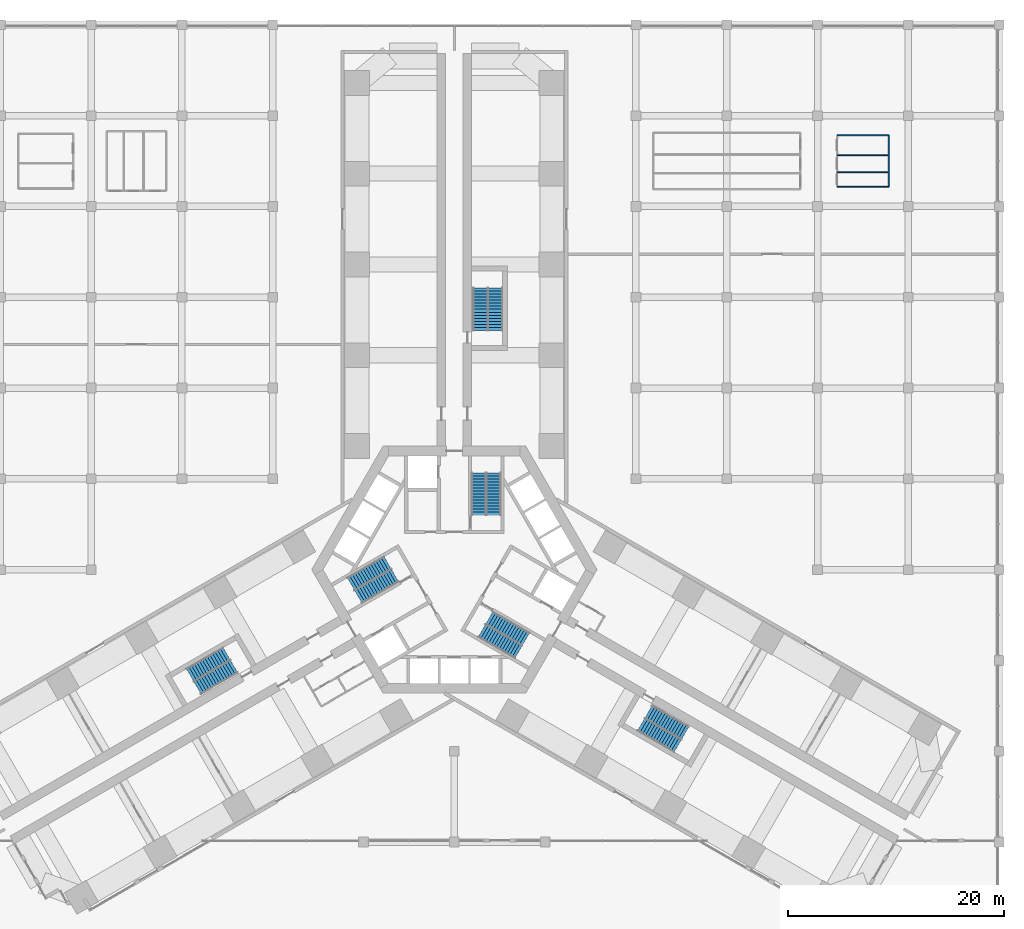
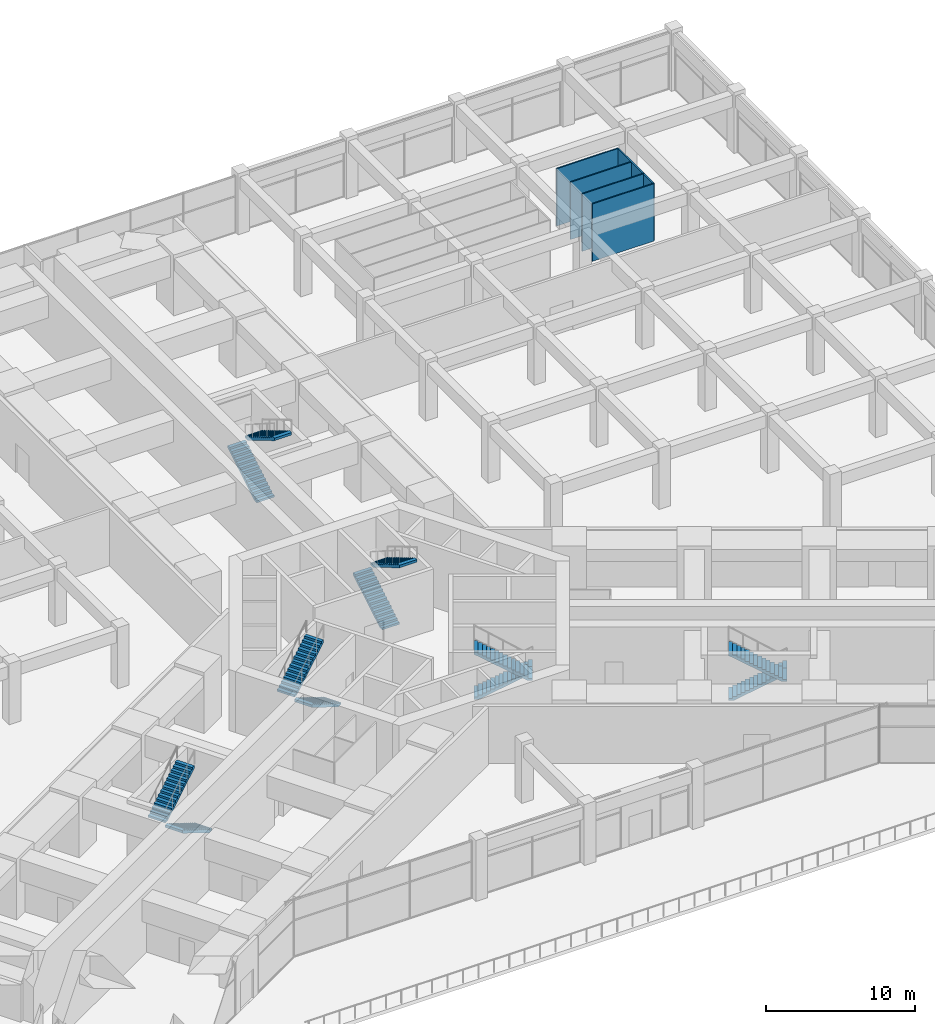
# One storey, part 32 of 34: 12 stair flights, 5 walls, 6 elements without a shape of their own.
"""IFC4 building model written with IfcOpenShell, lengths in metres."""

from ifc_helpers import new_model, si_unit, direction, frame, frame_2d, origin, place, context, subcontext, project, spatial, polyline, rectangle, outline, extrude, material, layer, layer_set, type_object, element, aggregate, save


model = new_model("IFC4")

# Units and contexts
model_context = context("Model", 3, precision=1e-05, world=origin(), true_north=direction((0.0, 1.0)))
body_context = subcontext(model_context, "Body", "Model", "MODEL_VIEW")
ifc_project = project(units=[si_unit("LENGTHUNIT", "METRE"), si_unit("AREAUNIT", "SQUARE_METRE"), si_unit("VOLUMEUNIT", "CUBIC_METRE"), si_unit("PLANEANGLEUNIT", "RADIAN"), si_unit("MASSUNIT", "GRAM", prefix="KILO")], contexts=[model_context])

# Site, building, storey
site_placement = place(None, origin())
site = spatial("IfcSite", under=ifc_project, at=site_placement, CompositionType="ELEMENT")
building_placement = place(site_placement, origin())
building = spatial("IfcBuilding", under=site, at=building_placement, Name="Impinga Residences", CompositionType="ELEMENT")
storey_placement = place(building_placement, frame((0.0, 0.0, 11.0)))
storey = spatial("IfcBuildingStorey", under=building, at=storey_placement, Name="L02", CompositionType="ELEMENT", Elevation=11.0)

# Walls
ifc_material_1 = material(Name="Gypsum board on steel studs", Category="steel")
ifc_layer = layer(ifc_material_1, 0.10009765625)
ifc_layer_set = layer_set([ifc_layer], Name="Gypsum board on steel studs")
wall_type = type_object("IfcWallType", Name="IP1 partition 100", PredefinedType="PARTITIONING", material=ifc_layer_set)
for number, where, z_axis, x_axis, name in (
    (1, (35.409912109375, 35.409912109375, 0.0), (0.0, 0.0, 1.0), (1.0, 0.0, 0.0), "Partition L02:REG:NE:B3:BLKS"),
    (2, (40.18994140625, 35.409912109375, 0.0), (0.0, 0.0, 1.0), (0.0, 1.0, 0.0), "Partition L02:REG:NE:B3:BLKE"),
    (3, (40.18994140625, 40.18994140625, 0.0), (0.0, 0.0, 1.0), (-1.0, 0.0, 0.0), "Partition L02:REG:NE:B3:BLKN"),
    (4, (35.409912109375, 36.76025390625, 0.0), (0.0, 0.0, 1.0), (1.0, 0.0, 0.0), "Partition L02:REG:NE:B3:BLKP1"),
    (5, (35.409912109375, 38.353515625, 0.0), (0.0, 0.0, 1.0), (1.0, 0.0, 0.0), "Partition L02:REG:NE:B3:BLKP2"),
):
    element("IfcWall", number, at=place(storey_placement, frame(where, z_axis=z_axis, x_axis=x_axis)), inside=storey, type_object=wall_type, Name=name, PredefinedType="PARTITIONING", context=body_context, shape_type="SweptSolid", body=[
        extrude(rectangle(XDim=4.780029296875, YDim=0.10009765625, at=frame_2d((2.39013671875, 0.0))), origin(), (0.0, 0.0, 1.0), 4.699951171875),
    ])

# Stair, stair flights
ifc_material_2 = material(Name="Concrete C40/50", Category="concrete")
stair_type_1 = type_object("IfcStairType", Name="STR core stair 5000 storey, 30 risers", PredefinedType="HALF_TURN_STAIR", material=ifc_material_2)
stair_1_placement = place(storey_placement, origin())
stair_1 = element("IfcStair", 6, at=stair_1_placement, inside=storey, type_object=stair_type_1, Name="Stair ST1 L02", PredefinedType="HALF_TURN_STAIR")
stair_flight_type = type_object("IfcStairFlightType", Name="SF 15 risers of 167", PredefinedType="STRAIGHT", material=ifc_material_2)
stair_flight_1_placement = place(storey_placement, frame((2.27490234375, 5.030029296875, 0.0), z_axis=(0.0, 0.0, 1.0), x_axis=(0.0, 1.0, 0.0)))
stair_flight_1 = element("IfcStairFlight", 7, at=stair_flight_1_placement, type_object=stair_flight_type, Name="ST1 flight 1", NumberOfRisers=15, NumberOfTreads=14, PredefinedType="STRAIGHT", RiserHeight=0.166666667, TreadLength=0.28, context=body_context, shape_type="SweptSolid", body=[
    extrude(outline(polyline([(0.0, 0.0), (0.0, 0.166748046875), (0.280029296875, 0.166748046875), (0.280029296875, 0.333251953125), (0.56005859375, 0.333251953125), (0.56005859375, 0.5), (0.840087890625, 0.5), (0.840087890625, 0.666748046875), (1.1201171875, 0.666748046875), (1.1201171875, 0.833251953125), (1.39990234375, 0.833251953125), (1.39990234375, 1.0), (1.679931640625, 1.0), (1.679931640625, 1.166748046875), (1.9599609375, 1.166748046875), (1.9599609375, 1.333251953125), (2.239990234375, 1.333251953125), (2.239990234375, 1.5), (2.52001953125, 1.5), (2.52001953125, 1.666748046875), (2.800048828125, 1.666748046875), (2.800048828125, 1.833251953125), (3.080078125, 1.833251953125), (3.080078125, 2.0), (3.360107421875, 2.0), (3.360107421875, 2.166748046875), (3.639892578125, 2.166748046875), (3.639892578125, 2.333251953125), (3.919921875, 2.333251953125), (3.919921875, 2.5), (3.919921875, 2.1240234375), (0.351806640625, 0.0), (0.0, 0.0)])), frame((0.0, 0.675048828125, 0.0), z_axis=(0.0, -1.0, 0.0), x_axis=(1.0, 0.0, 0.0)), (0.0, 0.0, 1.0), 1.35009765625),
])
stair_flight_2_placement = place(storey_placement, frame((3.625, 8.949951171875, 2.5), z_axis=(0.0, 0.0, 1.0), x_axis=(0.0, -1.0, 0.0)))
stair_flight_2 = element("IfcStairFlight", 8, at=stair_flight_2_placement, type_object=stair_flight_type, Name="ST1 flight 2", NumberOfRisers=15, NumberOfTreads=14, PredefinedType="STRAIGHT", RiserHeight=0.166666667, TreadLength=0.28, context=body_context, shape_type="SweptSolid", body=[
    extrude(outline(polyline([(0.0, 0.0), (0.0, 0.166748046875), (0.280029296875, 0.166748046875), (0.280029296875, 0.333251953125), (0.56005859375, 0.333251953125), (0.56005859375, 0.5), (0.840087890625, 0.5), (0.840087890625, 0.666748046875), (1.1201171875, 0.666748046875), (1.1201171875, 0.833251953125), (1.39990234375, 0.833251953125), (1.39990234375, 1.0), (1.679931640625, 1.0), (1.679931640625, 1.166748046875), (1.9599609375, 1.166748046875), (1.9599609375, 1.333251953125), (2.239990234375, 1.333251953125), (2.239990234375, 1.5), (2.52001953125, 1.5), (2.52001953125, 1.666748046875), (2.800048828125, 1.666748046875), (2.800048828125, 1.833251953125), (3.080078125, 1.833251953125), (3.080078125, 2.0), (3.360107421875, 2.0), (3.360107421875, 2.166748046875), (3.639892578125, 2.166748046875), (3.639892578125, 2.333251953125), (3.919921875, 2.333251953125), (3.919921875, 2.5), (3.919921875, 2.1240234375), (0.351806640625, 0.0), (0.0, 0.0)])), frame((0.0, 0.675048828125, 0.0), z_axis=(0.0, -1.0, 0.0), x_axis=(1.0, 0.0, 0.0)), (0.0, 0.0, 1.0), 1.35009765625),
])
aggregate(stair_1, [stair_flight_1, stair_flight_2])

stair_2_placement = place(storey_placement, origin())
stair_2 = element("IfcStair", 9, at=stair_2_placement, inside=storey, type_object=stair_type_1, Name="Stair ST2 L02", PredefinedType="HALF_TURN_STAIR")
stair_flight_3_placement = place(storey_placement, frame((-5.49365234375, -0.544677734375, 0.0), z_axis=(0.0, 0.0, 1.0), x_axis=(-0.866025403784, -0.5, 0.0)))
stair_flight_3 = element("IfcStairFlight", 10, at=stair_flight_3_placement, type_object=stair_flight_type, Name="ST2 flight 1", NumberOfRisers=15, NumberOfTreads=14, PredefinedType="STRAIGHT", RiserHeight=0.166666667, TreadLength=0.28, context=body_context, shape_type="SweptSolid", body=[
    extrude(outline(polyline([(0.0, 0.0), (0.0, 0.166748046875), (0.280029296875, 0.166748046875), (0.280029296875, 0.333251953125), (0.56005859375, 0.333251953125), (0.56005859375, 0.5), (0.840087890625, 0.5), (0.840087890625, 0.666748046875), (1.1201171875, 0.666748046875), (1.1201171875, 0.833251953125), (1.39990234375, 0.833251953125), (1.39990234375, 1.0), (1.679931640625, 1.0), (1.679931640625, 1.166748046875), (1.9599609375, 1.166748046875), (1.9599609375, 1.333251953125), (2.239990234375, 1.333251953125), (2.239990234375, 1.5), (2.52001953125, 1.5), (2.52001953125, 1.666748046875), (2.800048828125, 1.666748046875), (2.800048828125, 1.833251953125), (3.080078125, 1.833251953125), (3.080078125, 2.0), (3.360107421875, 2.0), (3.360107421875, 2.166748046875), (3.639892578125, 2.166748046875), (3.639892578125, 2.333251953125), (3.919921875, 2.333251953125), (3.919921875, 2.5), (3.919921875, 2.1240234375), (0.351806640625, 0.0), (0.0, 0.0)])), frame((0.0, 0.675048828125, 0.0), z_axis=(0.0, -1.0, 0.0), x_axis=(1.0, 0.0, 0.0)), (0.0, 0.0, 1.0), 1.35009765625),
])
stair_flight_4_placement = place(storey_placement, frame((-9.5634765625, -1.335693359375, 2.5), z_axis=(0.0, 0.0, 1.0), x_axis=(0.866025403784, 0.5, 0.0)))
stair_flight_4 = element("IfcStairFlight", 11, at=stair_flight_4_placement, type_object=stair_flight_type, Name="ST2 flight 2", NumberOfRisers=15, NumberOfTreads=14, PredefinedType="STRAIGHT", RiserHeight=0.166666667, TreadLength=0.28, context=body_context, shape_type="SweptSolid", body=[
    extrude(outline(polyline([(0.0, 0.0), (0.0, 0.166748046875), (0.280029296875, 0.166748046875), (0.280029296875, 0.333251953125), (0.56005859375, 0.333251953125), (0.56005859375, 0.5), (0.840087890625, 0.5), (0.840087890625, 0.666748046875), (1.1201171875, 0.666748046875), (1.1201171875, 0.833251953125), (1.39990234375, 0.833251953125), (1.39990234375, 1.0), (1.679931640625, 1.0), (1.679931640625, 1.166748046875), (1.9599609375, 1.166748046875), (1.9599609375, 1.333251953125), (2.239990234375, 1.333251953125), (2.239990234375, 1.5), (2.52001953125, 1.5), (2.52001953125, 1.666748046875), (2.800048828125, 1.666748046875), (2.800048828125, 1.833251953125), (3.080078125, 1.833251953125), (3.080078125, 2.0), (3.360107421875, 2.0), (3.360107421875, 2.166748046875), (3.639892578125, 2.166748046875), (3.639892578125, 2.333251953125), (3.919921875, 2.333251953125), (3.919921875, 2.5), (3.919921875, 2.1240234375), (0.351806640625, 0.0), (0.0, 0.0)])), frame((0.0, 0.675048828125, 0.0), z_axis=(0.0, -1.0, 0.0), x_axis=(1.0, 0.0, 0.0)), (0.0, 0.0, 1.0), 1.35009765625),
])
aggregate(stair_2, [stair_flight_3, stair_flight_4])

stair_3_placement = place(storey_placement, origin())
stair_3 = element("IfcStair", 12, at=stair_3_placement, inside=storey, type_object=stair_type_1, Name="Stair ST3 L02", PredefinedType="HALF_TURN_STAIR")
stair_flight_5_placement = place(storey_placement, frame((3.218505859375, -4.485107421875, 0.0), z_axis=(0.0, 0.0, 1.0), x_axis=(0.866025403784, -0.5, 0.0)))
stair_flight_5 = element("IfcStairFlight", 13, at=stair_flight_5_placement, type_object=stair_flight_type, Name="ST3 flight 1", NumberOfRisers=15, NumberOfTreads=14, PredefinedType="STRAIGHT", RiserHeight=0.166666667, TreadLength=0.28, context=body_context, shape_type="SweptSolid", body=[
    extrude(outline(polyline([(0.0, 0.0), (0.0, 0.166748046875), (0.280029296875, 0.166748046875), (0.280029296875, 0.333251953125), (0.56005859375, 0.333251953125), (0.56005859375, 0.5), (0.840087890625, 0.5), (0.840087890625, 0.666748046875), (1.1201171875, 0.666748046875), (1.1201171875, 0.833251953125), (1.39990234375, 0.833251953125), (1.39990234375, 1.0), (1.679931640625, 1.0), (1.679931640625, 1.166748046875), (1.9599609375, 1.166748046875), (1.9599609375, 1.333251953125), (2.239990234375, 1.333251953125), (2.239990234375, 1.5), (2.52001953125, 1.5), (2.52001953125, 1.666748046875), (2.800048828125, 1.666748046875), (2.800048828125, 1.833251953125), (3.080078125, 1.833251953125), (3.080078125, 2.0), (3.360107421875, 2.0), (3.360107421875, 2.166748046875), (3.639892578125, 2.166748046875), (3.639892578125, 2.333251953125), (3.919921875, 2.333251953125), (3.919921875, 2.5), (3.919921875, 2.1240234375), (0.351806640625, 0.0), (0.0, 0.0)])), frame((0.0, 0.675048828125, 0.0), z_axis=(0.0, -1.0, 0.0), x_axis=(1.0, 0.0, 0.0)), (0.0, 0.0, 1.0), 1.35009765625),
])
stair_flight_6_placement = place(storey_placement, frame((5.9384765625, -7.6142578125, 2.5), z_axis=(0.0, 0.0, 1.0), x_axis=(-0.866025403784, 0.5, 0.0)))
stair_flight_6 = element("IfcStairFlight", 14, at=stair_flight_6_placement, type_object=stair_flight_type, Name="ST3 flight 2", NumberOfRisers=15, NumberOfTreads=14, PredefinedType="STRAIGHT", RiserHeight=0.166666667, TreadLength=0.28, context=body_context, shape_type="SweptSolid", body=[
    extrude(outline(polyline([(0.0, 0.0), (0.0, 0.166748046875), (0.280029296875, 0.166748046875), (0.280029296875, 0.333251953125), (0.56005859375, 0.333251953125), (0.56005859375, 0.5), (0.840087890625, 0.5), (0.840087890625, 0.666748046875), (1.1201171875, 0.666748046875), (1.1201171875, 0.833251953125), (1.39990234375, 0.833251953125), (1.39990234375, 1.0), (1.679931640625, 1.0), (1.679931640625, 1.166748046875), (1.9599609375, 1.166748046875), (1.9599609375, 1.333251953125), (2.239990234375, 1.333251953125), (2.239990234375, 1.5), (2.52001953125, 1.5), (2.52001953125, 1.666748046875), (2.800048828125, 1.666748046875), (2.800048828125, 1.833251953125), (3.080078125, 1.833251953125), (3.080078125, 2.0), (3.360107421875, 2.0), (3.360107421875, 2.166748046875), (3.639892578125, 2.166748046875), (3.639892578125, 2.333251953125), (3.919921875, 2.333251953125), (3.919921875, 2.5), (3.919921875, 2.1240234375), (0.351806640625, 0.0), (0.0, 0.0)])), frame((0.0, 0.675048828125, 0.0), z_axis=(0.0, -1.0, 0.0), x_axis=(1.0, 0.0, 0.0)), (0.0, 0.0, 1.0), 1.35009765625),
])
aggregate(stair_3, [stair_flight_5, stair_flight_6])

stair_type_2 = type_object("IfcStairType", Name="STR wing stair 5000 storey, 30 risers", PredefinedType="HALF_TURN_STAIR", material=ifc_material_2)
stair_4_placement = place(storey_placement, origin())
stair_4 = element("IfcStair", 15, at=stair_4_placement, inside=storey, type_object=stair_type_2, Name="Stair WS1 L02", PredefinedType="HALF_TURN_STAIR")
stair_flight_7_placement = place(storey_placement, frame((2.425048828125, 22.131591796875, 0.0), z_axis=(0.0, 0.0, 1.0), x_axis=(0.0, 1.0, 0.0)))
stair_flight_7 = element("IfcStairFlight", 16, at=stair_flight_7_placement, type_object=stair_flight_type, Name="WS1 flight 1", NumberOfRisers=15, NumberOfTreads=14, PredefinedType="STRAIGHT", RiserHeight=0.166666667, TreadLength=0.28, context=body_context, shape_type="SweptSolid", body=[
    extrude(outline(polyline([(0.0, 0.0), (0.0, 0.166748046875), (0.280029296875, 0.166748046875), (0.280029296875, 0.333251953125), (0.56005859375, 0.333251953125), (0.56005859375, 0.5), (0.840087890625, 0.5), (0.840087890625, 0.666748046875), (1.1201171875, 0.666748046875), (1.1201171875, 0.833251953125), (1.39990234375, 0.833251953125), (1.39990234375, 1.0), (1.679931640625, 1.0), (1.679931640625, 1.166748046875), (1.9599609375, 1.166748046875), (1.9599609375, 1.333251953125), (2.239990234375, 1.333251953125), (2.239990234375, 1.5), (2.52001953125, 1.5), (2.52001953125, 1.666748046875), (2.800048828125, 1.666748046875), (2.800048828125, 1.833251953125), (3.080078125, 1.833251953125), (3.080078125, 2.0), (3.360107421875, 2.0), (3.360107421875, 2.166748046875), (3.639892578125, 2.166748046875), (3.639892578125, 2.333251953125), (3.919921875, 2.333251953125), (3.919921875, 2.5), (3.919921875, 2.1240234375), (0.351806640625, 0.0), (0.0, 0.0)])), frame((0.0, 0.675048828125, 0.0), z_axis=(0.0, -1.0, 0.0), x_axis=(1.0, 0.0, 0.0)), (0.0, 0.0, 1.0), 1.35009765625),
])
stair_flight_8_placement = place(storey_placement, frame((3.77490234375, 26.051513671875, 2.5), z_axis=(0.0, 0.0, 1.0), x_axis=(0.0, -1.0, 0.0)))
stair_flight_8 = element("IfcStairFlight", 17, at=stair_flight_8_placement, type_object=stair_flight_type, Name="WS1 flight 2", NumberOfRisers=15, NumberOfTreads=14, PredefinedType="STRAIGHT", RiserHeight=0.166666667, TreadLength=0.28, context=body_context, shape_type="SweptSolid", body=[
    extrude(outline(polyline([(0.0, 0.0), (0.0, 0.166748046875), (0.280029296875, 0.166748046875), (0.280029296875, 0.333251953125), (0.56005859375, 0.333251953125), (0.56005859375, 0.5), (0.840087890625, 0.5), (0.840087890625, 0.666748046875), (1.1201171875, 0.666748046875), (1.1201171875, 0.833251953125), (1.39990234375, 0.833251953125), (1.39990234375, 1.0), (1.679931640625, 1.0), (1.679931640625, 1.166748046875), (1.9599609375, 1.166748046875), (1.9599609375, 1.333251953125), (2.239990234375, 1.333251953125), (2.239990234375, 1.5), (2.52001953125, 1.5), (2.52001953125, 1.666748046875), (2.800048828125, 1.666748046875), (2.800048828125, 1.833251953125), (3.080078125, 1.833251953125), (3.080078125, 2.0), (3.360107421875, 2.0), (3.360107421875, 2.166748046875), (3.639892578125, 2.166748046875), (3.639892578125, 2.333251953125), (3.919921875, 2.333251953125), (3.919921875, 2.5), (3.919921875, 2.1240234375), (0.351806640625, 0.0), (0.0, 0.0)])), frame((0.0, 0.675048828125, 0.0), z_axis=(0.0, -1.0, 0.0), x_axis=(1.0, 0.0, 0.0)), (0.0, 0.0, 1.0), 1.35009765625),
])
aggregate(stair_4, [stair_flight_7, stair_flight_8])

stair_5_placement = place(storey_placement, origin())
stair_5 = element("IfcStair", 18, at=stair_5_placement, inside=storey, type_object=stair_type_2, Name="Stair WS2 L02", PredefinedType="HALF_TURN_STAIR")
stair_flight_9_placement = place(storey_placement, frame((-20.37890625, -8.965576171875, 0.0), z_axis=(0.0, 0.0, 1.0), x_axis=(-0.866025403784, -0.5, 0.0)))
stair_flight_9 = element("IfcStairFlight", 19, at=stair_flight_9_placement, type_object=stair_flight_type, Name="WS2 flight 1", NumberOfRisers=15, NumberOfTreads=14, PredefinedType="STRAIGHT", RiserHeight=0.166666667, TreadLength=0.28, context=body_context, shape_type="SweptSolid", body=[
    extrude(outline(polyline([(0.0, 0.0), (0.0, 0.166748046875), (0.280029296875, 0.166748046875), (0.280029296875, 0.333251953125), (0.56005859375, 0.333251953125), (0.56005859375, 0.5), (0.840087890625, 0.5), (0.840087890625, 0.666748046875), (1.1201171875, 0.666748046875), (1.1201171875, 0.833251953125), (1.39990234375, 0.833251953125), (1.39990234375, 1.0), (1.679931640625, 1.0), (1.679931640625, 1.166748046875), (1.9599609375, 1.166748046875), (1.9599609375, 1.333251953125), (2.239990234375, 1.333251953125), (2.239990234375, 1.5), (2.52001953125, 1.5), (2.52001953125, 1.666748046875), (2.800048828125, 1.666748046875), (2.800048828125, 1.833251953125), (3.080078125, 1.833251953125), (3.080078125, 2.0), (3.360107421875, 2.0), (3.360107421875, 2.166748046875), (3.639892578125, 2.166748046875), (3.639892578125, 2.333251953125), (3.919921875, 2.333251953125), (3.919921875, 2.5), (3.919921875, 2.1240234375), (0.351806640625, 0.0), (0.0, 0.0)])), frame((0.0, 0.675048828125, 0.0), z_axis=(0.0, -1.0, 0.0), x_axis=(1.0, 0.0, 0.0)), (0.0, 0.0, 1.0), 1.35009765625),
])
stair_flight_10_placement = place(storey_placement, frame((-24.44873046875, -9.756591796875, 2.5), z_axis=(0.0, 0.0, 1.0), x_axis=(0.866025403784, 0.5, 0.0)))
stair_flight_10 = element("IfcStairFlight", 20, at=stair_flight_10_placement, type_object=stair_flight_type, Name="WS2 flight 2", NumberOfRisers=15, NumberOfTreads=14, PredefinedType="STRAIGHT", RiserHeight=0.166666667, TreadLength=0.28, context=body_context, shape_type="SweptSolid", body=[
    extrude(outline(polyline([(0.0, 0.0), (0.0, 0.166748046875), (0.280029296875, 0.166748046875), (0.280029296875, 0.333251953125), (0.56005859375, 0.333251953125), (0.56005859375, 0.5), (0.840087890625, 0.5), (0.840087890625, 0.666748046875), (1.1201171875, 0.666748046875), (1.1201171875, 0.833251953125), (1.39990234375, 0.833251953125), (1.39990234375, 1.0), (1.679931640625, 1.0), (1.679931640625, 1.166748046875), (1.9599609375, 1.166748046875), (1.9599609375, 1.333251953125), (2.239990234375, 1.333251953125), (2.239990234375, 1.5), (2.52001953125, 1.5), (2.52001953125, 1.666748046875), (2.800048828125, 1.666748046875), (2.800048828125, 1.833251953125), (3.080078125, 1.833251953125), (3.080078125, 2.0), (3.360107421875, 2.0), (3.360107421875, 2.166748046875), (3.639892578125, 2.166748046875), (3.639892578125, 2.333251953125), (3.919921875, 2.333251953125), (3.919921875, 2.5), (3.919921875, 2.1240234375), (0.351806640625, 0.0), (0.0, 0.0)])), frame((0.0, 0.675048828125, 0.0), z_axis=(0.0, -1.0, 0.0), x_axis=(1.0, 0.0, 0.0)), (0.0, 0.0, 1.0), 1.35009765625),
])
aggregate(stair_5, [stair_flight_9, stair_flight_10])

stair_6_placement = place(storey_placement, origin())
stair_6 = element("IfcStair", 21, at=stair_6_placement, inside=storey, type_object=stair_type_2, Name="Stair WS3 L02", PredefinedType="HALF_TURN_STAIR")
stair_flight_11_placement = place(storey_placement, frame((17.953857421875, -13.165771484375, 0.0), z_axis=(0.0, 0.0, 1.0), x_axis=(0.866025403784, -0.5, 0.0)))
stair_flight_11 = element("IfcStairFlight", 22, at=stair_flight_11_placement, type_object=stair_flight_type, Name="WS3 flight 1", NumberOfRisers=15, NumberOfTreads=14, PredefinedType="STRAIGHT", RiserHeight=0.166666667, TreadLength=0.28, context=body_context, shape_type="SweptSolid", body=[
    extrude(outline(polyline([(0.0, 0.0), (0.0, 0.166748046875), (0.280029296875, 0.166748046875), (0.280029296875, 0.333251953125), (0.56005859375, 0.333251953125), (0.56005859375, 0.5), (0.840087890625, 0.5), (0.840087890625, 0.666748046875), (1.1201171875, 0.666748046875), (1.1201171875, 0.833251953125), (1.39990234375, 0.833251953125), (1.39990234375, 1.0), (1.679931640625, 1.0), (1.679931640625, 1.166748046875), (1.9599609375, 1.166748046875), (1.9599609375, 1.333251953125), (2.239990234375, 1.333251953125), (2.239990234375, 1.5), (2.52001953125, 1.5), (2.52001953125, 1.666748046875), (2.800048828125, 1.666748046875), (2.800048828125, 1.833251953125), (3.080078125, 1.833251953125), (3.080078125, 2.0), (3.360107421875, 2.0), (3.360107421875, 2.166748046875), (3.639892578125, 2.166748046875), (3.639892578125, 2.333251953125), (3.919921875, 2.333251953125), (3.919921875, 2.5), (3.919921875, 2.1240234375), (0.351806640625, 0.0), (0.0, 0.0)])), frame((0.0, 0.675048828125, 0.0), z_axis=(0.0, -1.0, 0.0), x_axis=(1.0, 0.0, 0.0)), (0.0, 0.0, 1.0), 1.35009765625),
])
stair_flight_12_placement = place(storey_placement, frame((20.673828125, -16.294921875, 2.5), z_axis=(0.0, 0.0, 1.0), x_axis=(-0.866025403784, 0.5, 0.0)))
stair_flight_12 = element("IfcStairFlight", 23, at=stair_flight_12_placement, type_object=stair_flight_type, Name="WS3 flight 2", NumberOfRisers=15, NumberOfTreads=14, PredefinedType="STRAIGHT", RiserHeight=0.166666667, TreadLength=0.28, context=body_context, shape_type="SweptSolid", body=[
    extrude(outline(polyline([(0.0, 0.0), (0.0, 0.166748046875), (0.280029296875, 0.166748046875), (0.280029296875, 0.333251953125), (0.56005859375, 0.333251953125), (0.56005859375, 0.5), (0.840087890625, 0.5), (0.840087890625, 0.666748046875), (1.1201171875, 0.666748046875), (1.1201171875, 0.833251953125), (1.39990234375, 0.833251953125), (1.39990234375, 1.0), (1.679931640625, 1.0), (1.679931640625, 1.166748046875), (1.9599609375, 1.166748046875), (1.9599609375, 1.333251953125), (2.239990234375, 1.333251953125), (2.239990234375, 1.5), (2.52001953125, 1.5), (2.52001953125, 1.666748046875), (2.800048828125, 1.666748046875), (2.800048828125, 1.833251953125), (3.080078125, 1.833251953125), (3.080078125, 2.0), (3.360107421875, 2.0), (3.360107421875, 2.166748046875), (3.639892578125, 2.166748046875), (3.639892578125, 2.333251953125), (3.919921875, 2.333251953125), (3.919921875, 2.5), (3.919921875, 2.1240234375), (0.351806640625, 0.0), (0.0, 0.0)])), frame((0.0, 0.675048828125, 0.0), z_axis=(0.0, -1.0, 0.0), x_axis=(1.0, 0.0, 0.0)), (0.0, 0.0, 1.0), 1.35009765625),
])
aggregate(stair_6, [stair_flight_11, stair_flight_12])

save(model, "model.ifc")
